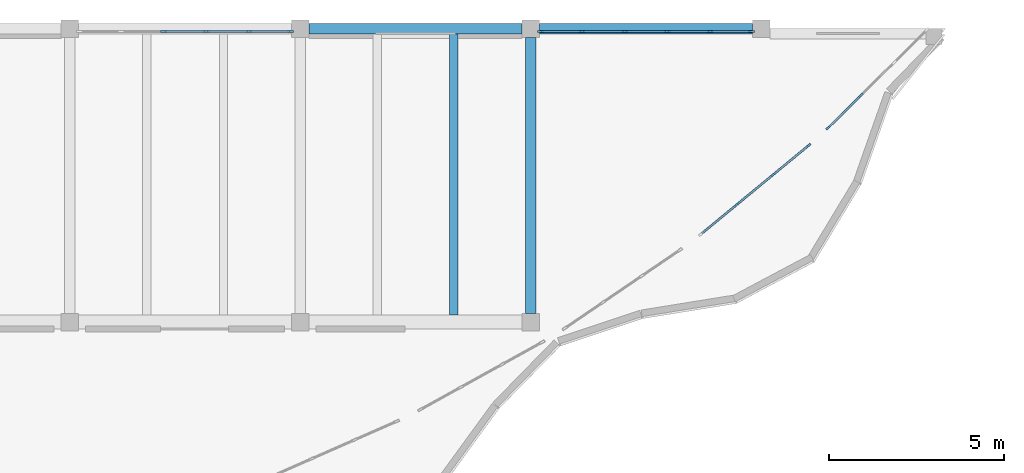
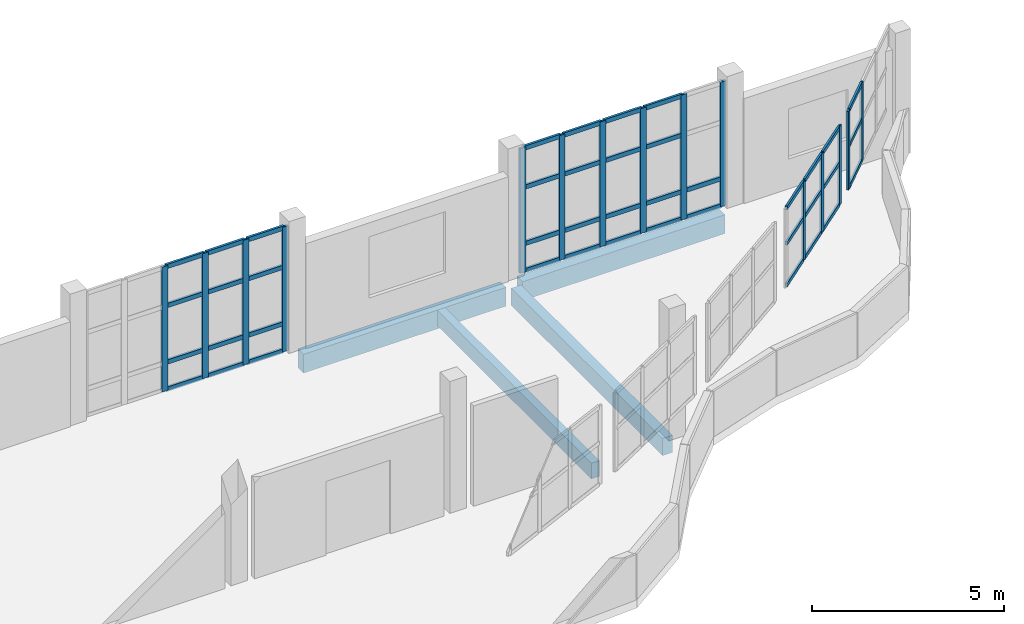
# One storey, part 23 of 47: 57 members, 4 beams, 4 elements without a shape of their own.
"""IFC4 building model written with IfcOpenShell, lengths in metres."""

from ifc_helpers import new_model, si_unit, direction, frame, origin, origin_2d, place, context, subcontext, project, spatial, rectangle, extrude, material, material_profile, profile_set, type_object, element, aggregate, save


model = new_model("IFC4")

# Units and contexts
model_context = context("Model", 3, precision=1e-05, world=origin(), true_north=direction((0.0, 1.0)))
body_context = subcontext(model_context, "Body", "Model", "MODEL_VIEW")
ifc_project = project(units=[si_unit("LENGTHUNIT", "METRE"), si_unit("AREAUNIT", "SQUARE_METRE"), si_unit("VOLUMEUNIT", "CUBIC_METRE"), si_unit("PLANEANGLEUNIT", "RADIAN"), si_unit("MASSUNIT", "GRAM", prefix="KILO")], contexts=[model_context])

# Site, building, storey
site_placement = place(None, origin())
site = spatial("IfcSite", under=ifc_project, at=site_placement, CompositionType="ELEMENT")
building_placement = place(site_placement, origin())
building = spatial("IfcBuilding", under=site, at=building_placement, Name="Qaldarim Faculty of Natural and Applied Sciences", CompositionType="ELEMENT")
storey_placement = place(building_placement, frame((0.0, 0.0, 22.800048828125)))
storey = spatial("IfcBuildingStorey", under=building, at=storey_placement, Name="L05", CompositionType="ELEMENT", Elevation=22.800048828125)

# Beams
ifc_material_1 = material(Name="Concrete C40/50", Category="concrete")
ifc_material_profile_1 = material_profile(ifc_material_1, rectangle(XDim=0.300048828125, YDim=0.550048828125, at=origin_2d()), Name="RC-B300x550")
ifc_profile_set_1 = profile_set([ifc_material_profile_1], Name="Concrete C40/50")
beam_type_1 = type_object("IfcBeamType", Name="FloorBeam-RC300x550", PredefinedType="BEAM", material=ifc_profile_set_1)
beam_1_placement = place(storey_placement, frame((138.60009765625, 109.449951171875, -0.53515625), z_axis=(0.0, 1.0, 0.0), x_axis=(-1.0, 0.0, 0.0)))
element("IfcBeam", 1, at=beam_1_placement, inside=storey, type_object=beam_type_1, Name="Beam RC-B300x550 L04 X22/Y14-Y15", PredefinedType="BEAM", context=body_context, shape_type="SweptSolid", body=[
    extrude(rectangle(XDim=0.300048828125, YDim=0.550048828125, at=origin_2d()), origin(), (0.0, 0.0, 1.0), 7.900146484375),
])
ifc_material_profile_2 = material_profile(ifc_material_1, rectangle(XDim=0.239990234375, YDim=0.5, at=origin_2d()), Name="RC-J240x500")
ifc_profile_set_2 = profile_set([ifc_material_profile_2], Name="Concrete C40/50")
beam_type_2 = type_object("IfcBeamType", Name="HeavyJoist-RC240x500", PredefinedType="JOIST", material=ifc_profile_set_2)
beam_2_placement = place(storey_placement, frame((136.39990234375, 109.39990234375, -0.510009765625), z_axis=(0.0, 1.0, 0.0), x_axis=(-1.0, 0.0, 0.0)))
element("IfcBeam", 2, at=beam_2_placement, inside=storey, type_object=beam_type_2, Name="Laboratory joist L04 bay X21Y14-2", PredefinedType="JOIST", context=body_context, shape_type="SweptSolid", body=[
    extrude(rectangle(XDim=0.239990234375, YDim=0.5, at=origin_2d()), origin(), (0.0, 0.0, 1.0), 8.050048828125),
])

# Curtain wall, members
ifc_material_2 = material(Name="Anodised aluminium AW-6063", Category="aluminium")
curtain_wall_type_1 = type_object("IfcCurtainWallType", Name="CurtainWallSystem-M1400", PredefinedType="USERDEFINED", material=ifc_material_2)
curtain_wall_1_placement = place(storey_placement, origin())
curtain_wall_1 = element("IfcCurtainWall", 3, at=curtain_wall_1_placement, inside=storey, type_object=curtain_wall_type_1, Name="Curtain wall CW-V4ARC-L05-14", ObjectType="STICK CURTAIN WALL", PredefinedType="USERDEFINED")
ifc_material_profile_3 = material_profile(ifc_material_2, rectangle(XDim=0.06005859375, YDim=0.14990234375, at=origin_2d()), Name="ALU-M60x150")
ifc_profile_set_3 = profile_set([ifc_material_profile_3], Name="Anodised aluminium AW-6063")
member_type_1 = type_object("IfcMemberType", Name="Mullion-ALU60x150", PredefinedType="MULLION", material=ifc_profile_set_3)
member_1_placement = place(storey_placement, frame((144.49658203125, 112.558349609375, 1.449951171875), z_axis=(0.0, 0.0, 1.0), x_axis=(-0.635930067271, 0.771746687418, 0.0)))
member_1 = element("IfcMember", 4, at=member_1_placement, type_object=member_type_1, Name="Mullion 2 of CW-V4ARC-L05-14", PredefinedType="MULLION", context=body_context, shape_type="SweptSolid", body=[
    extrude(rectangle(XDim=0.06005859375, YDim=0.14990234375, at=origin_2d()), origin(), (0.0, 0.0, 1.0), 2.510009765625),
])
member_2_placement = place(storey_placement, frame((145.538330078125, 113.416748046875, 1.449951171875), z_axis=(0.0, 0.0, 1.0), x_axis=(-0.635930067271, 0.771746687418, 0.0)))
member_2 = element("IfcMember", 5, at=member_2_placement, type_object=member_type_1, Name="Mullion 3 of CW-V4ARC-L05-14", PredefinedType="MULLION", context=body_context, shape_type="SweptSolid", body=[
    extrude(rectangle(XDim=0.06005859375, YDim=0.14990234375, at=origin_2d()), origin(), (0.0, 0.0, 1.0), 2.510009765625),
])
member_3_placement = place(storey_placement, frame((146.556884765625, 114.255859375, 1.449951171875), z_axis=(0.0, 0.0, 1.0), x_axis=(-0.635930067271, 0.771746687418, 0.0)))
member_3 = element("IfcMember", 6, at=member_3_placement, type_object=member_type_1, Name="Mullion 4 of CW-V4ARC-L05-14", PredefinedType="MULLION", context=body_context, shape_type="SweptSolid", body=[
    extrude(rectangle(XDim=0.06005859375, YDim=0.14990234375, at=origin_2d()), origin(), (0.0, 0.0, 1.0), 2.510009765625),
])

curtain_wall_2_placement = place(storey_placement, origin())
curtain_wall_2 = element("IfcCurtainWall", 7, at=curtain_wall_2_placement, inside=storey, type_object=curtain_wall_type_1, Name="Curtain wall CW-V4ARC-L05-16", ObjectType="STICK CURTAIN WALL", PredefinedType="USERDEFINED")
member_4_placement = place(storey_placement, frame((147.1162109375, 114.760986328125, 1.449951171875), z_axis=(0.0, 0.0, 1.0), x_axis=(-0.704014724456, 0.710185375623, 0.0)))
member_4 = element("IfcMember", 8, at=member_4_placement, type_object=member_type_1, Name="Mullion 1 of CW-V4ARC-L05-16", PredefinedType="MULLION", context=body_context, shape_type="SweptSolid", body=[
    extrude(rectangle(XDim=0.06005859375, YDim=0.14990234375, at=origin_2d()), origin(), (0.0, 0.0, 1.0), 2.510009765625),
])
member_5_placement = place(storey_placement, frame((148.05322265625, 115.68994140625, 1.449951171875), z_axis=(0.0, 0.0, 1.0), x_axis=(-0.704014724456, 0.710185375623, 0.0)))
member_5 = element("IfcMember", 9, at=member_5_placement, type_object=member_type_1, Name="Mullion 2 of CW-V4ARC-L05-16", PredefinedType="MULLION", context=body_context, shape_type="SweptSolid", body=[
    extrude(rectangle(XDim=0.06005859375, YDim=0.14990234375, at=origin_2d()), origin(), (0.0, 0.0, 1.0), 2.510009765625),
])

curtain_wall_type_2 = type_object("IfcCurtainWallType", Name="CurtainWallSystem-M1200", PredefinedType="USERDEFINED", material=ifc_material_2)
curtain_wall_3_placement = place(storey_placement, origin())
curtain_wall_3 = element("IfcCurtainWall", 10, at=curtain_wall_3_placement, inside=storey, type_object=curtain_wall_type_2, Name="Curtain wall CW-L05-N-X20Y14", ObjectType="STICK CURTAIN WALL", PredefinedType="USERDEFINED")
ifc_material_profile_4 = material_profile(ifc_material_2, rectangle(XDim=0.070068359375, YDim=0.179931640625, at=origin_2d()), Name="ALU-M70x180")
ifc_profile_set_4 = profile_set([ifc_material_profile_4], Name="Anodised aluminium AW-6063")
member_type_2 = type_object("IfcMemberType", Name="Mullion-ALU70x180", PredefinedType="MULLION", material=ifc_profile_set_4)
member_6_placement = place(storey_placement, frame((131.719970703125, 117.52001953125, 0.0), z_axis=(0.0, 0.0, 1.0), x_axis=(0.0, -1.0, 0.0)))
member_6 = element("IfcMember", 11, at=member_6_placement, type_object=member_type_2, Name="Mullion 1 of CW-L05-N-X20Y14", PredefinedType="MULLION", context=body_context, shape_type="SweptSolid", body=[
    extrude(rectangle(XDim=0.070068359375, YDim=0.179931640625, at=origin_2d()), origin(), (0.0, 0.0, 1.0), 3.97998046875),
])
member_7_placement = place(storey_placement, frame((130.532958984375, 117.52001953125, 0.0), z_axis=(0.0, 0.0, 1.0), x_axis=(0.0, -1.0, 0.0)))
member_7 = element("IfcMember", 12, at=member_7_placement, type_object=member_type_2, Name="Mullion 2 of CW-L05-N-X20Y14", PredefinedType="MULLION", context=body_context, shape_type="SweptSolid", body=[
    extrude(rectangle(XDim=0.070068359375, YDim=0.179931640625, at=origin_2d()), origin(), (0.0, 0.0, 1.0), 3.97998046875),
])
member_8_placement = place(storey_placement, frame((129.31103515625, 117.52001953125, 0.0), z_axis=(0.0, 0.0, 1.0), x_axis=(0.0, -1.0, 0.0)))
member_8 = element("IfcMember", 13, at=member_8_placement, type_object=member_type_2, Name="Mullion 3 of CW-L05-N-X20Y14", PredefinedType="MULLION", context=body_context, shape_type="SweptSolid", body=[
    extrude(rectangle(XDim=0.070068359375, YDim=0.179931640625, at=origin_2d()), origin(), (0.0, 0.0, 1.0), 3.97998046875),
])
member_9_placement = place(storey_placement, frame((128.089111328125, 117.52001953125, 0.0), z_axis=(0.0, 0.0, 1.0), x_axis=(0.0, -1.0, 0.0)))
member_9 = element("IfcMember", 14, at=member_9_placement, type_object=member_type_2, Name="Mullion 4 of CW-L05-N-X20Y14", PredefinedType="MULLION", context=body_context, shape_type="SweptSolid", body=[
    extrude(rectangle(XDim=0.070068359375, YDim=0.179931640625, at=origin_2d()), origin(), (0.0, 0.0, 1.0), 3.97998046875),
])

curtain_wall_4_placement = place(storey_placement, origin())
curtain_wall_4 = element("IfcCurtainWall", 15, at=curtain_wall_4_placement, inside=storey, type_object=curtain_wall_type_2, Name="Curtain wall CW-L05-N-X22Y14", ObjectType="STICK CURTAIN WALL", PredefinedType="USERDEFINED")
member_10_placement = place(storey_placement, frame((144.919921875, 117.52001953125, 0.0), z_axis=(0.0, 0.0, 1.0), x_axis=(0.0, -1.0, 0.0)))
member_10 = element("IfcMember", 16, at=member_10_placement, type_object=member_type_2, Name="Mullion 1 of CW-L05-N-X22Y14", PredefinedType="MULLION", context=body_context, shape_type="SweptSolid", body=[
    extrude(rectangle(XDim=0.070068359375, YDim=0.179931640625, at=origin_2d()), origin(), (0.0, 0.0, 1.0), 3.97998046875),
])
member_11_placement = place(storey_placement, frame((143.73291015625, 117.52001953125, 0.0), z_axis=(0.0, 0.0, 1.0), x_axis=(0.0, -1.0, 0.0)))
member_11 = element("IfcMember", 17, at=member_11_placement, type_object=member_type_2, Name="Mullion 2 of CW-L05-N-X22Y14", PredefinedType="MULLION", context=body_context, shape_type="SweptSolid", body=[
    extrude(rectangle(XDim=0.070068359375, YDim=0.179931640625, at=origin_2d()), origin(), (0.0, 0.0, 1.0), 3.97998046875),
])
member_12_placement = place(storey_placement, frame((142.510986328125, 117.52001953125, 0.0), z_axis=(0.0, 0.0, 1.0), x_axis=(0.0, -1.0, 0.0)))
member_12 = element("IfcMember", 18, at=member_12_placement, type_object=member_type_2, Name="Mullion 3 of CW-L05-N-X22Y14", PredefinedType="MULLION", context=body_context, shape_type="SweptSolid", body=[
    extrude(rectangle(XDim=0.070068359375, YDim=0.179931640625, at=origin_2d()), origin(), (0.0, 0.0, 1.0), 3.97998046875),
])
member_13_placement = place(storey_placement, frame((141.2890625, 117.52001953125, 0.0), z_axis=(0.0, 0.0, 1.0), x_axis=(0.0, -1.0, 0.0)))
member_13 = element("IfcMember", 19, at=member_13_placement, type_object=member_type_2, Name="Mullion 4 of CW-L05-N-X22Y14", PredefinedType="MULLION", context=body_context, shape_type="SweptSolid", body=[
    extrude(rectangle(XDim=0.070068359375, YDim=0.179931640625, at=origin_2d()), origin(), (0.0, 0.0, 1.0), 3.97998046875),
])
member_14_placement = place(storey_placement, frame((140.06689453125, 117.52001953125, 0.0), z_axis=(0.0, 0.0, 1.0), x_axis=(0.0, -1.0, 0.0)))
member_14 = element("IfcMember", 20, at=member_14_placement, type_object=member_type_2, Name="Mullion 5 of CW-L05-N-X22Y14", PredefinedType="MULLION", context=body_context, shape_type="SweptSolid", body=[
    extrude(rectangle(XDim=0.070068359375, YDim=0.179931640625, at=origin_2d()), origin(), (0.0, 0.0, 1.0), 3.97998046875),
])
member_15_placement = place(storey_placement, frame((138.8798828125, 117.52001953125, 0.0), z_axis=(0.0, 0.0, 1.0), x_axis=(0.0, -1.0, 0.0)))
member_15 = element("IfcMember", 21, at=member_15_placement, type_object=member_type_2, Name="Mullion 6 of CW-L05-N-X22Y14", PredefinedType="MULLION", context=body_context, shape_type="SweptSolid", body=[
    extrude(rectangle(XDim=0.070068359375, YDim=0.179931640625, at=origin_2d()), origin(), (0.0, 0.0, 1.0), 3.97998046875),
])

# Beams
ifc_material_3 = material(Name="Precast concrete C40/50", Category="concrete")
ifc_material_profile_5 = material_profile(ifc_material_3, rectangle(XDim=0.300048828125, YDim=0.60009765625, at=origin_2d()), Name="RC-SP300x600")
ifc_profile_set_5 = profile_set([ifc_material_profile_5], Name="Precast concrete C40/50")
beam_type_3 = type_object("IfcBeamType", Name="SpandrelBeam-RC300x600", PredefinedType="SPANDREL", material=ifc_profile_set_5)
beam_3_placement = place(storey_placement, frame((132.25, 117.60009765625, -0.56005859375), z_axis=(1.0, 0.0, 0.0), x_axis=(0.0, 1.0, 0.0)))
element("IfcBeam", 22, at=beam_3_placement, inside=storey, type_object=beam_type_3, Name="Beam RC-SP300x600 L04 X21-X22/Y15", PredefinedType="SPANDREL", context=body_context, shape_type="SweptSolid", body=[
    extrude(rectangle(XDim=0.300048828125, YDim=0.60009765625, at=origin_2d()), origin(), (0.0, 0.0, 1.0), 6.10009765625),
])
beam_4_placement = place(storey_placement, frame((138.85009765625, 117.60009765625, -0.56005859375), z_axis=(1.0, 0.0, 0.0), x_axis=(0.0, 1.0, 0.0)))
element("IfcBeam", 23, at=beam_4_placement, inside=storey, type_object=beam_type_3, Name="Beam RC-SP300x600 L04 X22-X23/Y15", PredefinedType="SPANDREL", context=body_context, shape_type="SweptSolid", body=[
    extrude(rectangle(XDim=0.300048828125, YDim=0.60009765625, at=origin_2d()), origin(), (0.0, 0.0, 1.0), 6.099853515625),
])

# Member
ifc_material_profile_6 = material_profile(ifc_material_2, rectangle(XDim=0.06005859375, YDim=0.1201171875, at=origin_2d()), Name="ALU-T60x120")
ifc_profile_set_6 = profile_set([ifc_material_profile_6], Name="Anodised aluminium AW-6063")
member_type_3 = type_object("IfcMemberType", Name="Transom-ALU60x120", PredefinedType="USERDEFINED", material=ifc_profile_set_6)
member_16_placement = place(storey_placement, frame((143.501220703125, 111.73828125, 1.47998046875), z_axis=(0.77176796605, 0.635904243247, 0.0), x_axis=(-0.635904243247, 0.77176796605, 0.0)))
member_16 = element("IfcMember", 24, at=member_16_placement, type_object=member_type_3, Name="Transom 1-1 of CW-V4ARC-L05-14", ObjectType="TRANSOM", PredefinedType="USERDEFINED", context=body_context, shape_type="SweptSolid", body=[
    extrude(rectangle(XDim=0.06005859375, YDim=0.1201171875, at=origin_2d()), origin(), (0.0, 0.0, 1.0), 1.259765625),
])

member_17_placement = place(storey_placement, frame((143.501220703125, 111.73828125, 2.800048828125), z_axis=(0.77176796605, 0.635904243247, 0.0), x_axis=(-0.635904243247, 0.77176796605, 0.0)))
member_17 = element("IfcMember", 25, at=member_17_placement, type_object=member_type_3, Name="Transom 1-2 of CW-V4ARC-L05-14", ObjectType="TRANSOM", PredefinedType="USERDEFINED", context=body_context, shape_type="SweptSolid", body=[
    extrude(rectangle(XDim=0.06005859375, YDim=0.1201171875, at=origin_2d()), origin(), (0.0, 0.0, 1.0), 1.259765625),
])

member_18_placement = place(storey_placement, frame((143.501220703125, 111.73828125, 3.929931640625), z_axis=(0.77176796605, 0.635904243247, 0.0), x_axis=(-0.635904243247, 0.77176796605, 0.0)))
member_18 = element("IfcMember", 26, at=member_18_placement, type_object=member_type_3, Name="Transom 1-3 of CW-V4ARC-L05-14", ObjectType="TRANSOM", PredefinedType="USERDEFINED", context=body_context, shape_type="SweptSolid", body=[
    extrude(rectangle(XDim=0.06005859375, YDim=0.1201171875, at=origin_2d()), origin(), (0.0, 0.0, 1.0), 1.259765625),
])

member_19_placement = place(storey_placement, frame((144.519775390625, 112.577392578125, 1.47998046875), z_axis=(0.771700705887, 0.635985865043, 0.0), x_axis=(-0.635985865043, 0.771700705887, 0.0)))
member_19 = element("IfcMember", 27, at=member_19_placement, type_object=member_type_3, Name="Transom 2-1 of CW-V4ARC-L05-14", ObjectType="TRANSOM", PredefinedType="USERDEFINED", context=body_context, shape_type="SweptSolid", body=[
    extrude(rectangle(XDim=0.06005859375, YDim=0.1201171875, at=origin_2d()), origin(), (0.0, 0.0, 1.0), 1.289794921875),
])

member_20_placement = place(storey_placement, frame((144.519775390625, 112.577392578125, 2.800048828125), z_axis=(0.771700705887, 0.635985865043, 0.0), x_axis=(-0.635985865043, 0.771700705887, 0.0)))
member_20 = element("IfcMember", 28, at=member_20_placement, type_object=member_type_3, Name="Transom 2-2 of CW-V4ARC-L05-14", ObjectType="TRANSOM", PredefinedType="USERDEFINED", context=body_context, shape_type="SweptSolid", body=[
    extrude(rectangle(XDim=0.06005859375, YDim=0.1201171875, at=origin_2d()), origin(), (0.0, 0.0, 1.0), 1.289794921875),
])

member_21_placement = place(storey_placement, frame((144.519775390625, 112.577392578125, 3.929931640625), z_axis=(0.771700705887, 0.635985865043, 0.0), x_axis=(-0.635985865043, 0.771700705887, 0.0)))
member_21 = element("IfcMember", 29, at=member_21_placement, type_object=member_type_3, Name="Transom 2-3 of CW-V4ARC-L05-14", ObjectType="TRANSOM", PredefinedType="USERDEFINED", context=body_context, shape_type="SweptSolid", body=[
    extrude(rectangle(XDim=0.06005859375, YDim=0.1201171875, at=origin_2d()), origin(), (0.0, 0.0, 1.0), 1.289794921875),
])

member_22_placement = place(storey_placement, frame((145.5615234375, 113.435791015625, 1.47998046875), z_axis=(0.77176796605, 0.635904243247, 0.0), x_axis=(-0.635904243247, 0.77176796605, 0.0)))
member_22 = element("IfcMember", 30, at=member_22_placement, type_object=member_type_3, Name="Transom 3-1 of CW-V4ARC-L05-14", ObjectType="TRANSOM", PredefinedType="USERDEFINED", context=body_context, shape_type="SweptSolid", body=[
    extrude(rectangle(XDim=0.06005859375, YDim=0.1201171875, at=origin_2d()), origin(), (0.0, 0.0, 1.0), 1.259765625),
])

member_23_placement = place(storey_placement, frame((145.5615234375, 113.435791015625, 2.800048828125), z_axis=(0.77176796605, 0.635904243247, 0.0), x_axis=(-0.635904243247, 0.77176796605, 0.0)))
member_23 = element("IfcMember", 31, at=member_23_placement, type_object=member_type_3, Name="Transom 3-2 of CW-V4ARC-L05-14", ObjectType="TRANSOM", PredefinedType="USERDEFINED", context=body_context, shape_type="SweptSolid", body=[
    extrude(rectangle(XDim=0.06005859375, YDim=0.1201171875, at=origin_2d()), origin(), (0.0, 0.0, 1.0), 1.259765625),
])

member_24_placement = place(storey_placement, frame((145.5615234375, 113.435791015625, 3.929931640625), z_axis=(0.77176796605, 0.635904243247, 0.0), x_axis=(-0.635904243247, 0.77176796605, 0.0)))
member_24 = element("IfcMember", 32, at=member_24_placement, type_object=member_type_3, Name="Transom 3-3 of CW-V4ARC-L05-14", ObjectType="TRANSOM", PredefinedType="USERDEFINED", context=body_context, shape_type="SweptSolid", body=[
    extrude(rectangle(XDim=0.06005859375, YDim=0.1201171875, at=origin_2d()), origin(), (0.0, 0.0, 1.0), 1.259765625),
])

aggregate(curtain_wall_1, [member_1, member_2, member_3, member_16, member_17, member_18, member_19, member_20, member_21, member_22, member_23, member_24])

member_25_placement = place(storey_placement, frame((147.1376953125, 114.7822265625, 1.47998046875), z_axis=(0.71010520996, 0.704095583559, 0.0), x_axis=(-0.704095583559, 0.71010520996, 0.0)))
member_25 = element("IfcMember", 33, at=member_25_placement, type_object=member_type_3, Name="Transom 1-1 of CW-V4ARC-L05-16", ObjectType="TRANSOM", PredefinedType="USERDEFINED", context=body_context, shape_type="SweptSolid", body=[
    extrude(rectangle(XDim=0.06005859375, YDim=0.1201171875, at=origin_2d()), origin(), (0.0, 0.0, 1.0), 1.25927734375),
])

member_26_placement = place(storey_placement, frame((147.1376953125, 114.7822265625, 2.800048828125), z_axis=(0.71010520996, 0.704095583559, 0.0), x_axis=(-0.704095583559, 0.71010520996, 0.0)))
member_26 = element("IfcMember", 34, at=member_26_placement, type_object=member_type_3, Name="Transom 1-2 of CW-V4ARC-L05-16", ObjectType="TRANSOM", PredefinedType="USERDEFINED", context=body_context, shape_type="SweptSolid", body=[
    extrude(rectangle(XDim=0.06005859375, YDim=0.1201171875, at=origin_2d()), origin(), (0.0, 0.0, 1.0), 1.25927734375),
])

member_27_placement = place(storey_placement, frame((147.1376953125, 114.7822265625, 3.929931640625), z_axis=(0.71010520996, 0.704095583559, 0.0), x_axis=(-0.704095583559, 0.71010520996, 0.0)))
member_27 = element("IfcMember", 35, at=member_27_placement, type_object=member_type_3, Name="Transom 1-3 of CW-V4ARC-L05-16", ObjectType="TRANSOM", PredefinedType="USERDEFINED", context=body_context, shape_type="SweptSolid", body=[
    extrude(rectangle(XDim=0.06005859375, YDim=0.1201171875, at=origin_2d()), origin(), (0.0, 0.0, 1.0), 1.25927734375),
])

aggregate(curtain_wall_2, [member_4, member_5, member_25, member_26, member_27])

ifc_material_profile_7 = material_profile(ifc_material_2, rectangle(XDim=0.070068359375, YDim=0.139892578125, at=origin_2d()), Name="ALU-T70x140")
ifc_profile_set_7 = profile_set([ifc_material_profile_7], Name="Anodised aluminium AW-6063")
member_type_4 = type_object("IfcMemberType", Name="Transom-ALU70x140", PredefinedType="USERDEFINED", material=ifc_profile_set_7)
member_28_placement = place(storey_placement, frame((131.68505859375, 117.52001953125, 0.034912109375), z_axis=(-1.0, 0.0, 0.0), x_axis=(0.0, -1.0, 0.0)))
member_28 = element("IfcMember", 36, at=member_28_placement, type_object=member_type_4, Name="Transom 1-1 of CW-L05-N-X20Y14", ObjectType="TRANSOM", PredefinedType="USERDEFINED", context=body_context, shape_type="SweptSolid", body=[
    extrude(rectangle(XDim=0.070068359375, YDim=0.139892578125, at=origin_2d()), origin(), (0.0, 0.0, 1.0), 1.116943359375),
])

member_29_placement = place(storey_placement, frame((131.68505859375, 117.52001953125, 0.89990234375), z_axis=(-1.0, 0.0, 0.0), x_axis=(0.0, -1.0, 0.0)))
member_29 = element("IfcMember", 37, at=member_29_placement, type_object=member_type_4, Name="Transom 1-2 of CW-L05-N-X20Y14", ObjectType="TRANSOM", PredefinedType="USERDEFINED", context=body_context, shape_type="SweptSolid", body=[
    extrude(rectangle(XDim=0.070068359375, YDim=0.139892578125, at=origin_2d()), origin(), (0.0, 0.0, 1.0), 1.116943359375),
])

member_30_placement = place(storey_placement, frame((131.68505859375, 117.52001953125, 2.699951171875), z_axis=(-1.0, 0.0, 0.0), x_axis=(0.0, -1.0, 0.0)))
member_30 = element("IfcMember", 38, at=member_30_placement, type_object=member_type_4, Name="Transom 1-3 of CW-L05-N-X20Y14", ObjectType="TRANSOM", PredefinedType="USERDEFINED", context=body_context, shape_type="SweptSolid", body=[
    extrude(rectangle(XDim=0.070068359375, YDim=0.139892578125, at=origin_2d()), origin(), (0.0, 0.0, 1.0), 1.116943359375),
])

member_31_placement = place(storey_placement, frame((131.68505859375, 117.52001953125, 3.945068359375), z_axis=(-1.0, 0.0, 0.0), x_axis=(0.0, -1.0, 0.0)))
member_31 = element("IfcMember", 39, at=member_31_placement, type_object=member_type_4, Name="Transom 1-4 of CW-L05-N-X20Y14", ObjectType="TRANSOM", PredefinedType="USERDEFINED", context=body_context, shape_type="SweptSolid", body=[
    extrude(rectangle(XDim=0.070068359375, YDim=0.139892578125, at=origin_2d()), origin(), (0.0, 0.0, 1.0), 1.116943359375),
])

member_32_placement = place(storey_placement, frame((130.498046875, 117.52001953125, 0.034912109375), z_axis=(-1.0, 0.0, 0.0), x_axis=(0.0, -1.0, 0.0)))
member_32 = element("IfcMember", 40, at=member_32_placement, type_object=member_type_4, Name="Transom 2-1 of CW-L05-N-X20Y14", ObjectType="TRANSOM", PredefinedType="USERDEFINED", context=body_context, shape_type="SweptSolid", body=[
    extrude(rectangle(XDim=0.070068359375, YDim=0.139892578125, at=origin_2d()), origin(), (0.0, 0.0, 1.0), 1.152099609375),
])

member_33_placement = place(storey_placement, frame((130.498046875, 117.52001953125, 0.89990234375), z_axis=(-1.0, 0.0, 0.0), x_axis=(0.0, -1.0, 0.0)))
member_33 = element("IfcMember", 41, at=member_33_placement, type_object=member_type_4, Name="Transom 2-2 of CW-L05-N-X20Y14", ObjectType="TRANSOM", PredefinedType="USERDEFINED", context=body_context, shape_type="SweptSolid", body=[
    extrude(rectangle(XDim=0.070068359375, YDim=0.139892578125, at=origin_2d()), origin(), (0.0, 0.0, 1.0), 1.152099609375),
])

member_34_placement = place(storey_placement, frame((130.498046875, 117.52001953125, 2.699951171875), z_axis=(-1.0, 0.0, 0.0), x_axis=(0.0, -1.0, 0.0)))
member_34 = element("IfcMember", 42, at=member_34_placement, type_object=member_type_4, Name="Transom 2-3 of CW-L05-N-X20Y14", ObjectType="TRANSOM", PredefinedType="USERDEFINED", context=body_context, shape_type="SweptSolid", body=[
    extrude(rectangle(XDim=0.070068359375, YDim=0.139892578125, at=origin_2d()), origin(), (0.0, 0.0, 1.0), 1.152099609375),
])

member_35_placement = place(storey_placement, frame((130.498046875, 117.52001953125, 3.945068359375), z_axis=(-1.0, 0.0, 0.0), x_axis=(0.0, -1.0, 0.0)))
member_35 = element("IfcMember", 43, at=member_35_placement, type_object=member_type_4, Name="Transom 2-4 of CW-L05-N-X20Y14", ObjectType="TRANSOM", PredefinedType="USERDEFINED", context=body_context, shape_type="SweptSolid", body=[
    extrude(rectangle(XDim=0.070068359375, YDim=0.139892578125, at=origin_2d()), origin(), (0.0, 0.0, 1.0), 1.152099609375),
])

member_36_placement = place(storey_placement, frame((129.27587890625, 117.52001953125, 0.034912109375), z_axis=(-1.0, 0.0, 0.0), x_axis=(0.0, -1.0, 0.0)))
member_36 = element("IfcMember", 44, at=member_36_placement, type_object=member_type_4, Name="Transom 3-1 of CW-L05-N-X20Y14", ObjectType="TRANSOM", PredefinedType="USERDEFINED", context=body_context, shape_type="SweptSolid", body=[
    extrude(rectangle(XDim=0.070068359375, YDim=0.139892578125, at=origin_2d()), origin(), (0.0, 0.0, 1.0), 1.15185546875),
])

member_37_placement = place(storey_placement, frame((129.27587890625, 117.52001953125, 0.89990234375), z_axis=(-1.0, 0.0, 0.0), x_axis=(0.0, -1.0, 0.0)))
member_37 = element("IfcMember", 45, at=member_37_placement, type_object=member_type_4, Name="Transom 3-2 of CW-L05-N-X20Y14", ObjectType="TRANSOM", PredefinedType="USERDEFINED", context=body_context, shape_type="SweptSolid", body=[
    extrude(rectangle(XDim=0.070068359375, YDim=0.139892578125, at=origin_2d()), origin(), (0.0, 0.0, 1.0), 1.15185546875),
])

member_38_placement = place(storey_placement, frame((129.27587890625, 117.52001953125, 2.699951171875), z_axis=(-1.0, 0.0, 0.0), x_axis=(0.0, -1.0, 0.0)))
member_38 = element("IfcMember", 46, at=member_38_placement, type_object=member_type_4, Name="Transom 3-3 of CW-L05-N-X20Y14", ObjectType="TRANSOM", PredefinedType="USERDEFINED", context=body_context, shape_type="SweptSolid", body=[
    extrude(rectangle(XDim=0.070068359375, YDim=0.139892578125, at=origin_2d()), origin(), (0.0, 0.0, 1.0), 1.15185546875),
])

member_39_placement = place(storey_placement, frame((129.27587890625, 117.52001953125, 3.945068359375), z_axis=(-1.0, 0.0, 0.0), x_axis=(0.0, -1.0, 0.0)))
member_39 = element("IfcMember", 47, at=member_39_placement, type_object=member_type_4, Name="Transom 3-4 of CW-L05-N-X20Y14", ObjectType="TRANSOM", PredefinedType="USERDEFINED", context=body_context, shape_type="SweptSolid", body=[
    extrude(rectangle(XDim=0.070068359375, YDim=0.139892578125, at=origin_2d()), origin(), (0.0, 0.0, 1.0), 1.15185546875),
])

aggregate(curtain_wall_3, [member_6, member_7, member_8, member_9, member_28, member_29, member_30, member_31, member_32, member_33, member_34, member_35, member_36, member_37, member_38, member_39])

member_40_placement = place(storey_placement, frame((144.885009765625, 117.52001953125, 0.034912109375), z_axis=(-1.0, 0.0, 0.0), x_axis=(0.0, -1.0, 0.0)))
member_40 = element("IfcMember", 48, at=member_40_placement, type_object=member_type_4, Name="Transom 1-1 of CW-L05-N-X22Y14", ObjectType="TRANSOM", PredefinedType="USERDEFINED", context=body_context, shape_type="SweptSolid", body=[
    extrude(rectangle(XDim=0.070068359375, YDim=0.139892578125, at=origin_2d()), origin(), (0.0, 0.0, 1.0), 1.116943359375),
])

member_41_placement = place(storey_placement, frame((144.885009765625, 117.52001953125, 0.89990234375), z_axis=(-1.0, 0.0, 0.0), x_axis=(0.0, -1.0, 0.0)))
member_41 = element("IfcMember", 49, at=member_41_placement, type_object=member_type_4, Name="Transom 1-2 of CW-L05-N-X22Y14", ObjectType="TRANSOM", PredefinedType="USERDEFINED", context=body_context, shape_type="SweptSolid", body=[
    extrude(rectangle(XDim=0.070068359375, YDim=0.139892578125, at=origin_2d()), origin(), (0.0, 0.0, 1.0), 1.116943359375),
])

member_42_placement = place(storey_placement, frame((143.697998046875, 117.52001953125, 0.034912109375), z_axis=(-1.0, 0.0, 0.0), x_axis=(0.0, -1.0, 0.0)))
member_42 = element("IfcMember", 50, at=member_42_placement, type_object=member_type_4, Name="Transom 2-1 of CW-L05-N-X22Y14", ObjectType="TRANSOM", PredefinedType="USERDEFINED", context=body_context, shape_type="SweptSolid", body=[
    extrude(rectangle(XDim=0.070068359375, YDim=0.139892578125, at=origin_2d()), origin(), (0.0, 0.0, 1.0), 1.152099609375),
])

member_43_placement = place(storey_placement, frame((143.697998046875, 117.52001953125, 0.89990234375), z_axis=(-1.0, 0.0, 0.0), x_axis=(0.0, -1.0, 0.0)))
member_43 = element("IfcMember", 51, at=member_43_placement, type_object=member_type_4, Name="Transom 2-2 of CW-L05-N-X22Y14", ObjectType="TRANSOM", PredefinedType="USERDEFINED", context=body_context, shape_type="SweptSolid", body=[
    extrude(rectangle(XDim=0.070068359375, YDim=0.139892578125, at=origin_2d()), origin(), (0.0, 0.0, 1.0), 1.152099609375),
])

member_44_placement = place(storey_placement, frame((143.697998046875, 117.52001953125, 2.699951171875), z_axis=(-1.0, 0.0, 0.0), x_axis=(0.0, -1.0, 0.0)))
member_44 = element("IfcMember", 52, at=member_44_placement, type_object=member_type_4, Name="Transom 2-3 of CW-L05-N-X22Y14", ObjectType="TRANSOM", PredefinedType="USERDEFINED", context=body_context, shape_type="SweptSolid", body=[
    extrude(rectangle(XDim=0.070068359375, YDim=0.139892578125, at=origin_2d()), origin(), (0.0, 0.0, 1.0), 1.152099609375),
])

member_45_placement = place(storey_placement, frame((143.697998046875, 117.52001953125, 3.945068359375), z_axis=(-1.0, 0.0, 0.0), x_axis=(0.0, -1.0, 0.0)))
member_45 = element("IfcMember", 53, at=member_45_placement, type_object=member_type_4, Name="Transom 2-4 of CW-L05-N-X22Y14", ObjectType="TRANSOM", PredefinedType="USERDEFINED", context=body_context, shape_type="SweptSolid", body=[
    extrude(rectangle(XDim=0.070068359375, YDim=0.139892578125, at=origin_2d()), origin(), (0.0, 0.0, 1.0), 1.152099609375),
])

member_46_placement = place(storey_placement, frame((142.47607421875, 117.52001953125, 0.034912109375), z_axis=(-1.0, 0.0, 0.0), x_axis=(0.0, -1.0, 0.0)))
member_46 = element("IfcMember", 54, at=member_46_placement, type_object=member_type_4, Name="Transom 3-1 of CW-L05-N-X22Y14", ObjectType="TRANSOM", PredefinedType="USERDEFINED", context=body_context, shape_type="SweptSolid", body=[
    extrude(rectangle(XDim=0.070068359375, YDim=0.139892578125, at=origin_2d()), origin(), (0.0, 0.0, 1.0), 1.152099609375),
])

member_47_placement = place(storey_placement, frame((142.47607421875, 117.52001953125, 0.89990234375), z_axis=(-1.0, 0.0, 0.0), x_axis=(0.0, -1.0, 0.0)))
member_47 = element("IfcMember", 55, at=member_47_placement, type_object=member_type_4, Name="Transom 3-2 of CW-L05-N-X22Y14", ObjectType="TRANSOM", PredefinedType="USERDEFINED", context=body_context, shape_type="SweptSolid", body=[
    extrude(rectangle(XDim=0.070068359375, YDim=0.139892578125, at=origin_2d()), origin(), (0.0, 0.0, 1.0), 1.152099609375),
])

member_48_placement = place(storey_placement, frame((142.47607421875, 117.52001953125, 2.699951171875), z_axis=(-1.0, 0.0, 0.0), x_axis=(0.0, -1.0, 0.0)))
member_48 = element("IfcMember", 56, at=member_48_placement, type_object=member_type_4, Name="Transom 3-3 of CW-L05-N-X22Y14", ObjectType="TRANSOM", PredefinedType="USERDEFINED", context=body_context, shape_type="SweptSolid", body=[
    extrude(rectangle(XDim=0.070068359375, YDim=0.139892578125, at=origin_2d()), origin(), (0.0, 0.0, 1.0), 1.152099609375),
])

member_49_placement = place(storey_placement, frame((142.47607421875, 117.52001953125, 3.945068359375), z_axis=(-1.0, 0.0, 0.0), x_axis=(0.0, -1.0, 0.0)))
member_49 = element("IfcMember", 57, at=member_49_placement, type_object=member_type_4, Name="Transom 3-4 of CW-L05-N-X22Y14", ObjectType="TRANSOM", PredefinedType="USERDEFINED", context=body_context, shape_type="SweptSolid", body=[
    extrude(rectangle(XDim=0.070068359375, YDim=0.139892578125, at=origin_2d()), origin(), (0.0, 0.0, 1.0), 1.152099609375),
])

member_50_placement = place(storey_placement, frame((141.25390625, 117.52001953125, 0.034912109375), z_axis=(-1.0, 0.0, 0.0), x_axis=(0.0, -1.0, 0.0)))
member_50 = element("IfcMember", 58, at=member_50_placement, type_object=member_type_4, Name="Transom 4-1 of CW-L05-N-X22Y14", ObjectType="TRANSOM", PredefinedType="USERDEFINED", context=body_context, shape_type="SweptSolid", body=[
    extrude(rectangle(XDim=0.070068359375, YDim=0.139892578125, at=origin_2d()), origin(), (0.0, 0.0, 1.0), 1.15185546875),
])

member_51_placement = place(storey_placement, frame((141.25390625, 117.52001953125, 0.89990234375), z_axis=(-1.0, 0.0, 0.0), x_axis=(0.0, -1.0, 0.0)))
member_51 = element("IfcMember", 59, at=member_51_placement, type_object=member_type_4, Name="Transom 4-2 of CW-L05-N-X22Y14", ObjectType="TRANSOM", PredefinedType="USERDEFINED", context=body_context, shape_type="SweptSolid", body=[
    extrude(rectangle(XDim=0.070068359375, YDim=0.139892578125, at=origin_2d()), origin(), (0.0, 0.0, 1.0), 1.15185546875),
])

member_52_placement = place(storey_placement, frame((141.25390625, 117.52001953125, 2.699951171875), z_axis=(-1.0, 0.0, 0.0), x_axis=(0.0, -1.0, 0.0)))
member_52 = element("IfcMember", 60, at=member_52_placement, type_object=member_type_4, Name="Transom 4-3 of CW-L05-N-X22Y14", ObjectType="TRANSOM", PredefinedType="USERDEFINED", context=body_context, shape_type="SweptSolid", body=[
    extrude(rectangle(XDim=0.070068359375, YDim=0.139892578125, at=origin_2d()), origin(), (0.0, 0.0, 1.0), 1.15185546875),
])

member_53_placement = place(storey_placement, frame((141.25390625, 117.52001953125, 3.945068359375), z_axis=(-1.0, 0.0, 0.0), x_axis=(0.0, -1.0, 0.0)))
member_53 = element("IfcMember", 61, at=member_53_placement, type_object=member_type_4, Name="Transom 4-4 of CW-L05-N-X22Y14", ObjectType="TRANSOM", PredefinedType="USERDEFINED", context=body_context, shape_type="SweptSolid", body=[
    extrude(rectangle(XDim=0.070068359375, YDim=0.139892578125, at=origin_2d()), origin(), (0.0, 0.0, 1.0), 1.15185546875),
])

member_54_placement = place(storey_placement, frame((140.031982421875, 117.52001953125, 0.034912109375), z_axis=(-1.0, 0.0, 0.0), x_axis=(0.0, -1.0, 0.0)))
member_54 = element("IfcMember", 62, at=member_54_placement, type_object=member_type_4, Name="Transom 5-1 of CW-L05-N-X22Y14", ObjectType="TRANSOM", PredefinedType="USERDEFINED", context=body_context, shape_type="SweptSolid", body=[
    extrude(rectangle(XDim=0.070068359375, YDim=0.139892578125, at=origin_2d()), origin(), (0.0, 0.0, 1.0), 1.116943359375),
])

member_55_placement = place(storey_placement, frame((140.031982421875, 117.52001953125, 0.89990234375), z_axis=(-1.0, 0.0, 0.0), x_axis=(0.0, -1.0, 0.0)))
member_55 = element("IfcMember", 63, at=member_55_placement, type_object=member_type_4, Name="Transom 5-2 of CW-L05-N-X22Y14", ObjectType="TRANSOM", PredefinedType="USERDEFINED", context=body_context, shape_type="SweptSolid", body=[
    extrude(rectangle(XDim=0.070068359375, YDim=0.139892578125, at=origin_2d()), origin(), (0.0, 0.0, 1.0), 1.116943359375),
])

member_56_placement = place(storey_placement, frame((140.031982421875, 117.52001953125, 2.699951171875), z_axis=(-1.0, 0.0, 0.0), x_axis=(0.0, -1.0, 0.0)))
member_56 = element("IfcMember", 64, at=member_56_placement, type_object=member_type_4, Name="Transom 5-3 of CW-L05-N-X22Y14", ObjectType="TRANSOM", PredefinedType="USERDEFINED", context=body_context, shape_type="SweptSolid", body=[
    extrude(rectangle(XDim=0.070068359375, YDim=0.139892578125, at=origin_2d()), origin(), (0.0, 0.0, 1.0), 1.116943359375),
])

member_57_placement = place(storey_placement, frame((140.031982421875, 117.52001953125, 3.945068359375), z_axis=(-1.0, 0.0, 0.0), x_axis=(0.0, -1.0, 0.0)))
member_57 = element("IfcMember", 65, at=member_57_placement, type_object=member_type_4, Name="Transom 5-4 of CW-L05-N-X22Y14", ObjectType="TRANSOM", PredefinedType="USERDEFINED", context=body_context, shape_type="SweptSolid", body=[
    extrude(rectangle(XDim=0.070068359375, YDim=0.139892578125, at=origin_2d()), origin(), (0.0, 0.0, 1.0), 1.116943359375),
])

aggregate(curtain_wall_4, [member_10, member_11, member_12, member_13, member_14, member_15, member_40, member_41, member_42, member_43, member_44, member_45, member_46, member_47, member_48, member_49, member_50, member_51, member_52, member_53, member_54, member_55, member_56, member_57])

save(model, "model.ifc")
